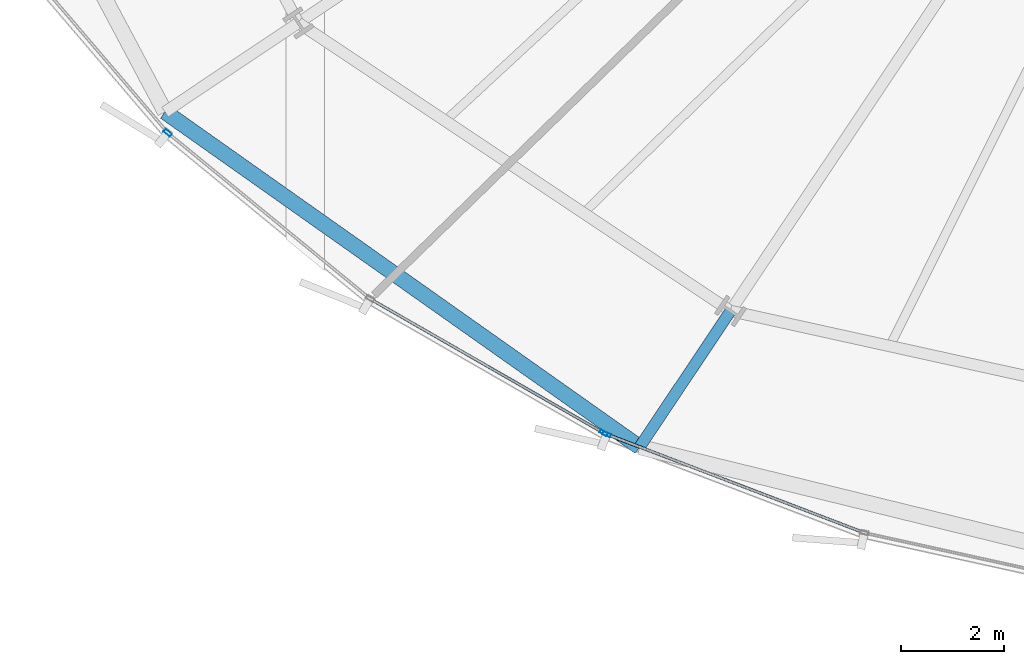
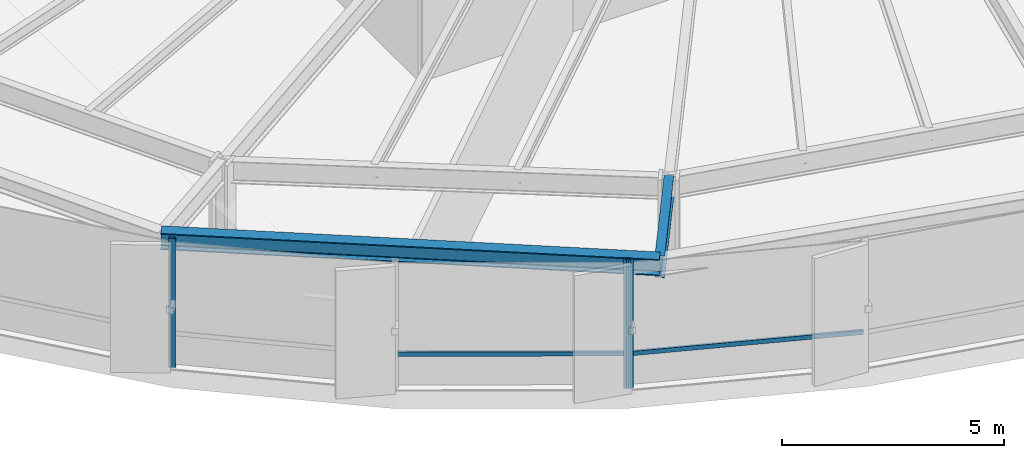
# One storey, part 3 of 38: 5 members, 2 beams, 2 elements without a shape of their own.
"""IFC4 building model written with IfcOpenShell, lengths in metres."""

from ifc_helpers import new_model, si_unit, direction, frame, origin, origin_2d, place, context, subcontext, project, spatial, hollow_rectangle, i_section, extrude, source, transform, mapped, material, layer, layer_set, material_profile, profile_set, type_object, element, aggregate, save


model = new_model("IFC4")

# Units and contexts
model_context = context("Model", 3, precision=1e-05, world=origin(), true_north=direction((0.0, 1.0)))
body_context = subcontext(model_context, "Body", "Model", "MODEL_VIEW")
ifc_project = project(units=[si_unit("LENGTHUNIT", "METRE"), si_unit("AREAUNIT", "SQUARE_METRE"), si_unit("VOLUMEUNIT", "CUBIC_METRE"), si_unit("PLANEANGLEUNIT", "RADIAN"), si_unit("MASSUNIT", "GRAM", prefix="KILO"), si_unit("THERMODYNAMICTEMPERATUREUNIT", "KELVIN")], contexts=[model_context])

# Site, building, storey
site_placement = place(None, origin())
site = spatial("IfcSite", under=ifc_project, at=site_placement, CompositionType="ELEMENT")
building_placement = place(site_placement, origin())
building = spatial("IfcBuilding", under=site, at=building_placement, Name="Kethvar Cultural Tower", CompositionType="ELEMENT")
storey_placement = place(building_placement, frame((0.0, 0.0, 29.60009765625)))
storey = spatial("IfcBuildingStorey", under=building, at=storey_placement, Name="L06", CompositionType="ELEMENT", Elevation=29.60009765625)

# Beams
ifc_material_1 = material(Name="Steel S355J2", Category="steel")
ifc_material_profile_1 = material_profile(ifc_material_1, i_section(OverallWidth=0.219970703125, OverallDepth=0.60009765625, WebThickness=0.011962890625, FlangeThickness=0.01904296875, FilletRadius=0.02392578125, at=origin_2d()), Name="Steel S355J2 — IPE600")
ifc_profile_set_1 = profile_set([ifc_material_profile_1], Name="Steel S355J2 — IPE600")
beam_type_1 = type_object("IfcBeamType", Name="BM-IPE600", PredefinedType="BEAM", material=ifc_profile_set_1)
shared_shape_1 = source(origin(), body_context, "Body", "SweptSolid", [
    extrude(i_section(OverallWidth=0.219970703125, OverallDepth=0.60009765625, WebThickness=0.011962890625, FlangeThickness=0.01904296875, FilletRadius=0.02392578125, at=origin_2d()), origin(), (0.0, 0.0, 1.0), 3.173095703125),
])
beam_1_placement = place(storey_placement, frame((33.302001953125, 7.598876953125, 3.247802734375), z_axis=(-0.555569885154, -0.831469844739, 0.0), x_axis=(0.831469844739, -0.555569885154, 0.0)))
element("IfcBeam", 1, at=beam_1_placement, inside=storey, type_object=beam_type_1, Name="L06 Perimeter Cantilever Beam RC-11", PredefinedType="BEAM", context=body_context, shape_type="MappedRepresentation", body=[
    mapped(shared_shape_1, transform((0.0, 0.0, 0.0), scale=1.0)),
])
ifc_material_profile_2 = material_profile(ifc_material_1, i_section(OverallWidth=0.300048828125, OverallDepth=0.449951171875, WebThickness=0.013916015625, FlangeThickness=0.02587890625, FilletRadius=0.027099609375, at=origin_2d()), Name="Steel S355J2 — HEB450")
ifc_profile_set_2 = profile_set([ifc_material_profile_2], Name="Steel S355J2 — HEB450")
beam_type_2 = type_object("IfcBeamType", Name="BM-SP450", PredefinedType="SPANDREL", material=ifc_profile_set_2)
shared_shape_2 = source(origin(), body_context, "Body", "SweptSolid", [
    extrude(i_section(OverallWidth=0.300048828125, OverallDepth=0.449951171875, WebThickness=0.013916015625, FlangeThickness=0.02587890625, FilletRadius=0.027099609375, at=origin_2d()), origin(), (0.0, 0.0, 1.0), 11.260986328125),
])
beam_2_placement = place(storey_placement, frame((22.341064453125, 11.45703125, 3.322998046875), z_axis=(0.816805604154, -0.57691299606, 0.0), x_axis=(0.57691299606, 0.816805604154, 0.0)))
element("IfcBeam", 2, at=beam_2_placement, inside=storey, type_object=beam_type_2, Name="L06 Perimeter Spandrel Beam SP-10", PredefinedType="SPANDREL", context=body_context, shape_type="MappedRepresentation", body=[
    mapped(shared_shape_2, transform((0.0, 0.0, 0.0), scale=1.0)),
])

# Curtain wall, members
ifc_material_2 = material(Name="Aluminium 6063-T6", Category="aluminium")
ifc_layer = layer(ifc_material_2, 0.179931640625, Name="Aluminium 6063-T6", Category="aluminium")
ifc_layer_set = layer_set([ifc_layer], Name="Aluminium 6063-T6 (180 mm)")
curtain_wall_type = type_object("IfcCurtainWallType", Name="CW-SYS-02-Z1", PredefinedType="NOTDEFINED", material=ifc_layer_set)
curtain_wall_1_placement = place(storey_placement, origin())
curtain_wall_1 = element("IfcCurtainWall", 3, at=curtain_wall_1_placement, inside=storey, type_object=curtain_wall_type, Name="L06 Curtain Wall Run 04", PredefinedType="NOTDEFINED")
ifc_material_profile_3 = material_profile(ifc_material_2, hollow_rectangle(XDim=0.06494140625, YDim=0.159912109375, WallThickness=0.0048828125, at=origin_2d()), Name="Aluminium 6063-T6 — RHS160x65x5")
ifc_profile_set_3 = profile_set([ifc_material_profile_3], Name="Aluminium 6063-T6 — RHS160x65x5")
member_type_1 = type_object("IfcMemberType", Name="CW-SYS-02-Z1-MUL", PredefinedType="MULLION", material=ifc_profile_set_3)
shared_shape_3 = source(origin(), body_context, "Body", "SweptSolid", [
    extrude(hollow_rectangle(XDim=0.06494140625, YDim=0.159912109375, WallThickness=0.0048828125, at=origin_2d()), origin(), (0.0, 0.0, 1.0), 3.5498046875),
])
member_1_placement = place(storey_placement, frame((22.393310546875, 11.0517578125, 0.0), z_axis=(0.0, 0.0, 1.0), x_axis=(0.633988449894, 0.773342514932, 0.0)))
member_1 = element("IfcMember", 4, at=member_1_placement, type_object=member_type_1, Name="CW-L06-R04 Mullion 5", PredefinedType="MULLION", context=body_context, shape_type="MappedRepresentation", body=[
    mapped(shared_shape_3, transform((0.0, 0.0, 0.0), scale=1.0)),
])
member_2_placement = place(storey_placement, frame((30.843017578125, 5.235107421875, 0.0), z_axis=(0.0, 0.0, 1.0), x_axis=(0.497821863918, 0.867279304379, 0.0)))
member_2 = element("IfcMember", 5, at=member_2_placement, type_object=member_type_1, Name="CW-L06-R04 Mullion 7", PredefinedType="MULLION", context=body_context, shape_type="MappedRepresentation", body=[
    mapped(shared_shape_3, transform((0.0, 0.0, 0.0), scale=1.0)),
])

curtain_wall_2_placement = place(storey_placement, origin())
curtain_wall_2 = element("IfcCurtainWall", 6, at=curtain_wall_2_placement, inside=storey, type_object=curtain_wall_type, Name="L06 Curtain Wall Run 05", PredefinedType="NOTDEFINED")
member_3_placement = place(storey_placement, frame((30.90234375, 5.20703125, 0.0), z_axis=(0.0, 0.0, 1.0), x_axis=(0.357064076459, 0.934079892355, 0.0)))
member_3 = element("IfcMember", 7, at=member_3_placement, type_object=member_type_1, Name="CW-L06-R05 Mullion 1", PredefinedType="MULLION", context=body_context, shape_type="MappedRepresentation", body=[
    mapped(shared_shape_3, transform((0.0, 0.0, 0.0), scale=1.0)),
])
ifc_material_profile_4 = material_profile(ifc_material_2, hollow_rectangle(XDim=0.054931640625, YDim=0.1201171875, WallThickness=0.00390625, at=origin_2d()), Name="Aluminium 6063-T6 — RHS120x55x4")
ifc_profile_set_4 = profile_set([ifc_material_profile_4], Name="Aluminium 6063-T6 — RHS120x55x4")
member_type_2 = type_object("IfcMemberType", Name="CW-SYS-02-Z1-TRN", PredefinedType="USERDEFINED", material=ifc_profile_set_4)
shared_shape_4 = source(origin(), body_context, "Body", "SweptSolid", [
    extrude(hollow_rectangle(XDim=0.054931640625, YDim=0.1201171875, WallThickness=0.00390625, at=origin_2d()), origin(), (0.0, 0.0, 1.0), 5.311767578125),
])
member_4_placement = place(storey_placement, frame((30.906494140625, 5.20556640625, 0.949951171875), z_axis=(0.934075732744, -0.357074957816, 0.0), x_axis=(0.357074957816, 0.934075732744, 0.0)))
member_4 = element("IfcMember", 8, at=member_4_placement, type_object=member_type_2, Name="CW-L06-R05 Transom 1", ObjectType="TRANSOM", PredefinedType="USERDEFINED", context=body_context, shape_type="MappedRepresentation", body=[
    mapped(shared_shape_4, transform((0.0, 0.0, 0.0), scale=1.0)),
])
aggregate(curtain_wall_2, [member_3, member_4])

# Member
shared_shape_5 = source(origin(), body_context, "Body", "SweptSolid", [
    extrude(hollow_rectangle(XDim=0.054931640625, YDim=0.1201171875, WallThickness=0.00390625, at=origin_2d()), origin(), (0.0, 0.0, 1.0), 5.168212890625),
])
member_5_placement = place(storey_placement, frame((26.356689453125, 7.810302734375, 0.949951171875), z_axis=(0.867293886699, -0.497796458499, 0.0), x_axis=(0.497796458499, 0.867293886699, 0.0)))
member_5 = element("IfcMember", 9, at=member_5_placement, type_object=member_type_2, Name="CW-L06-R04 Transom 6", ObjectType="TRANSOM", PredefinedType="USERDEFINED", context=body_context, shape_type="MappedRepresentation", body=[
    mapped(shared_shape_5, transform((0.0, 0.0, 0.0), scale=1.0)),
])

aggregate(curtain_wall_1, [member_1, member_2, member_5])

save(model, "model.ifc")
